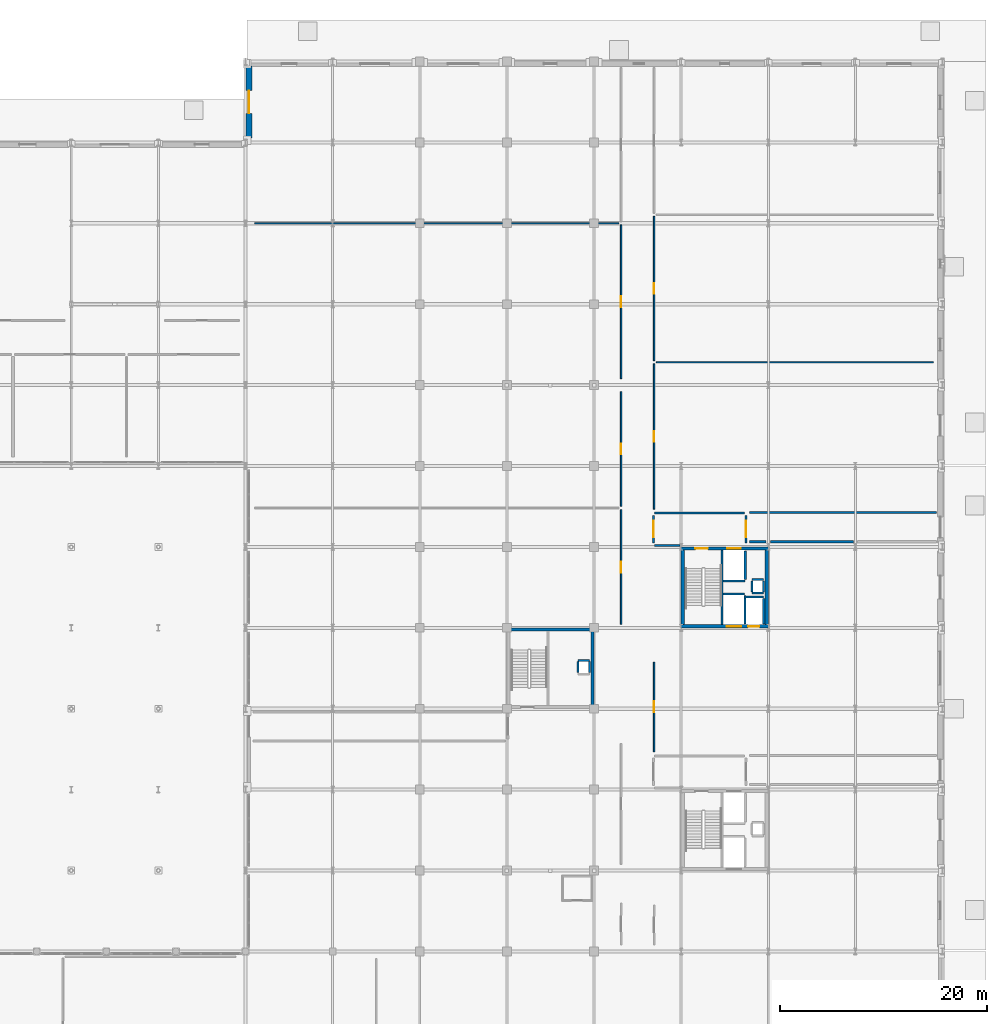
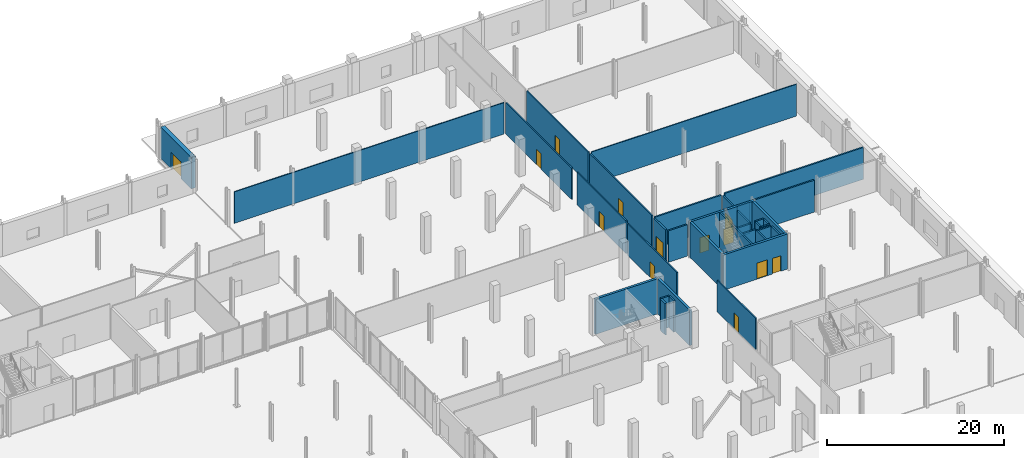
# One storey, part 57 of 80: 36 walls, 13 doors, 13 openings.
"""IFC4 building model written with IfcOpenShell, lengths in metres."""

from ifc_helpers import new_model, si_unit, direction, frame, frame_2d, origin, place, context, subcontext, project, spatial, rectangle, extrude, material, layer, layer_set, type_object, element, fill, save


model = new_model("IFC4")

# Units and contexts
model_context = context("Model", 3, precision=1e-05, world=origin(), true_north=direction((0.0, 1.0)))
body_context = subcontext(model_context, "Body", "Model", "MODEL_VIEW")
ifc_project = project(units=[si_unit("LENGTHUNIT", "METRE"), si_unit("AREAUNIT", "SQUARE_METRE"), si_unit("VOLUMEUNIT", "CUBIC_METRE"), si_unit("PLANEANGLEUNIT", "RADIAN"), si_unit("MASSUNIT", "GRAM", prefix="KILO")], contexts=[model_context])

# Site, building, storey
site_placement = place(None, origin())
site = spatial("IfcSite", under=ifc_project, at=site_placement, CompositionType="ELEMENT")
building_placement = place(site_placement, origin())
building = spatial("IfcBuilding", under=site, at=building_placement, Name="Nabrawat Pavilion Hospital", CompositionType="ELEMENT")
storey_placement = place(building_placement, origin())
storey = spatial("IfcBuildingStorey", under=building, at=storey_placement, Name="L00", CompositionType="ELEMENT", Elevation=0.0)

# Wall, opening, door
ifc_material_1 = material(Name="Gypsum Fireboard on Steel Stud", Category="steel")
ifc_layer_1 = layer(ifc_material_1, 0.14990234375, Name="Gypsum Fireboard on Steel Stud")
ifc_layer_set_1 = layer_set([ifc_layer_1], Name="Gypsum Fireboard on Steel Stud")
wall_type_1 = type_object("IfcWallType", Name="Clinical Corridor Smoke-Barrier Wall 150", PredefinedType="PARTITIONING", material=ifc_layer_set_1)
wall_1_placement = place(storey_placement, frame((162.2099609375, 70.52001953125, 0.0), z_axis=(0.0, 0.0, 1.0), x_axis=(0.0, 1.0, 0.0)))
wall_1 = element("IfcWall", 1, at=wall_1_placement, inside=storey, type_object=wall_type_1, Name="L00 Hydrotherapy Treatment Pool Suite L00-03 Front Partition", PredefinedType="PARTITIONING", context=body_context, shape_type="SweptSolid", body=[
    extrude(rectangle(XDim=11.070068359375, YDim=0.14990234375, at=frame_2d((5.53515625, 0.0))), origin(), (0.0, 0.0, 1.0), 4.330078125),
])
opening_1_placement = place(wall_1_placement, frame((5.010009765625, 0.0, 0.0)))
opening_1 = element("IfcOpeningElement", 2, at=opening_1_placement, cuts=wall_1, Name="Opening D-OPC-R", PredefinedType="OPENING", context=body_context, shape_type="SweptSolid", body=[
    extrude(rectangle(XDim=1.050048828125, YDim=2.14990234375, at=frame_2d((0.52490234375, 1.074951171875))), frame((0.0, 0.0849609375, 0.0), z_axis=(0.0, -1.0, 0.0), x_axis=(1.0, 0.0, 0.0)), (0.0, 0.0, 1.0), 0.169921875),
])
ifc_material_2 = material(Name="Stainless-Clad Acoustic Timber and Vision Glass", Category="wood")
door_type_1 = type_object("IfcDoorType", Name="Outpatient Clinic Consultation Door R 1050x2150", OperationType="NOTDEFINED", PredefinedType="DOOR", material=ifc_material_2)
door_1_placement = place(opening_1_placement, origin())
door_1 = element("IfcDoor", 3, at=door_1_placement, inside=storey, type_object=door_type_1, Name="Hydrotherapy Treatment Pool Suite L00-03 Door", OperationType="SINGLE_SWING_LEFT", OverallHeight=2.14990234375, OverallWidth=1.050048828125, PredefinedType="DOOR", context=body_context, shape_type="SweptSolid", body=[
    extrude(rectangle(XDim=1.050048828125, YDim=2.14990234375, at=frame_2d((0.52490234375, 1.074951171875))), frame((0.0, 0.02490234375, 0.0), z_axis=(0.0, -1.0, 0.0), x_axis=(1.0, 0.0, 0.0)), (0.0, 0.0, 1.0), 0.050048828125),
])
fill(opening_1, door_1)

wall_2_placement = place(storey_placement, frame((162.2099609375, 81.909912109375, 0.0), z_axis=(0.0, 0.0, 1.0), x_axis=(0.0, 1.0, 0.0)))
wall_2 = element("IfcWall", 4, at=wall_2_placement, inside=storey, type_object=wall_type_1, Name="L00 Renal Haemodialysis Treatment Station L00-04 Front Partition", PredefinedType="PARTITIONING", context=body_context, shape_type="SweptSolid", body=[
    extrude(rectangle(XDim=11.070068359375, YDim=0.14990234375, at=frame_2d((5.53515625, 0.0))), origin(), (0.0, 0.0, 1.0), 4.489990234375),
])
opening_2_placement = place(wall_2_placement, frame((5.010009765625, 0.0, 0.0)))
opening_2 = element("IfcOpeningElement", 5, at=opening_2_placement, cuts=wall_2, Name="Opening D-OPC-L", PredefinedType="OPENING", context=body_context, shape_type="SweptSolid", body=[
    extrude(rectangle(XDim=1.050048828125, YDim=2.14990234375, at=frame_2d((0.52490234375, 1.074951171875))), frame((0.0, 0.0849609375, 0.0), z_axis=(0.0, -1.0, 0.0), x_axis=(1.0, 0.0, 0.0)), (0.0, 0.0, 1.0), 0.169921875),
])
door_type_2 = type_object("IfcDoorType", Name="Outpatient Clinic Consultation Door L 1050x2150", OperationType="NOTDEFINED", PredefinedType="DOOR", material=ifc_material_2)
door_2_placement = place(opening_2_placement, origin())
door_2 = element("IfcDoor", 6, at=door_2_placement, inside=storey, type_object=door_type_2, Name="Renal Haemodialysis Treatment Station L00-04 Door", OperationType="SINGLE_SWING_RIGHT", OverallHeight=2.14990234375, OverallWidth=1.050048828125, PredefinedType="DOOR", context=body_context, shape_type="SweptSolid", body=[
    extrude(rectangle(XDim=1.050048828125, YDim=2.14990234375, at=frame_2d((0.52490234375, 1.074951171875))), frame((0.0, 0.02490234375, 0.0), z_axis=(0.0, -1.0, 0.0), x_axis=(1.0, 0.0, 0.0)), (0.0, 0.0, 1.0), 0.050048828125),
])
fill(opening_2, door_2)

wall_3_placement = place(storey_placement, frame((162.2099609375, 94.219970703125, 0.0), z_axis=(0.0, 0.0, 1.0), x_axis=(0.0, 1.0, 0.0)))
wall_3 = element("IfcWall", 7, at=wall_3_placement, inside=storey, type_object=wall_type_1, Name="L00 Acute Inpatient Ward Clinical Care Hub L00-05 Front Partition", PredefinedType="PARTITIONING", context=body_context, shape_type="SweptSolid", body=[
    extrude(rectangle(XDim=14.820068359375, YDim=0.14990234375, at=frame_2d((7.41015625, 0.0))), origin(), (0.0, 0.0, 1.0), 4.330078125),
])
opening_3_placement = place(wall_3_placement, frame((6.885009765625, 0.0, 0.0)))
opening_3 = element("IfcOpeningElement", 8, at=opening_3_placement, cuts=wall_3, Name="Opening D-OPC-R", PredefinedType="OPENING", context=body_context, shape_type="SweptSolid", body=[
    extrude(rectangle(XDim=1.050048828125, YDim=2.14990234375, at=frame_2d((0.52490234375, 1.074951171875))), frame((0.0, 0.0849609375, 0.0), z_axis=(0.0, -1.0, 0.0), x_axis=(1.0, 0.0, 0.0)), (0.0, 0.0, 1.0), 0.169921875),
])
door_3_placement = place(opening_3_placement, origin())
door_3 = element("IfcDoor", 9, at=door_3_placement, inside=storey, type_object=door_type_1, Name="Acute Inpatient Ward Clinical Care Hub L00-05 Door", OperationType="SINGLE_SWING_LEFT", OverallHeight=2.14990234375, OverallWidth=1.050048828125, PredefinedType="DOOR", context=body_context, shape_type="SweptSolid", body=[
    extrude(rectangle(XDim=1.050048828125, YDim=2.14990234375, at=frame_2d((0.52490234375, 1.074951171875))), frame((0.0, 0.02490234375, 0.0), z_axis=(0.0, -1.0, 0.0), x_axis=(1.0, 0.0, 0.0)), (0.0, 0.0, 1.0), 0.050048828125),
])
fill(opening_3, door_3)

wall_4_placement = place(storey_placement, frame((165.389892578125, 58.25, 0.0), z_axis=(0.0, 0.0, 1.0), x_axis=(0.0, 1.0, 0.0)))
wall_4 = element("IfcWall", 10, at=wall_4_placement, inside=storey, type_object=wall_type_1, Name="L00 Physical Rehabilitation Therapy Hall L00-08 Front Partition", PredefinedType="PARTITIONING", context=body_context, shape_type="SweptSolid", body=[
    extrude(rectangle(XDim=8.64990234375, YDim=0.14990234375, at=frame_2d((4.324951171875, 0.0))), origin(), (0.0, 0.0, 1.0), 4.330078125),
])
opening_4_placement = place(wall_4_placement, frame((3.800048828125, 0.0, 0.0)))
opening_4 = element("IfcOpeningElement", 11, at=opening_4_placement, cuts=wall_4, Name="Opening D-OPC-L", PredefinedType="OPENING", context=body_context, shape_type="SweptSolid", body=[
    extrude(rectangle(XDim=1.050048828125, YDim=2.14990234375, at=frame_2d((0.52490234375, 1.074951171875))), frame((0.0, 0.0849609375, 0.0), z_axis=(0.0, -1.0, 0.0), x_axis=(1.0, 0.0, 0.0)), (0.0, 0.0, 1.0), 0.169921875),
])
door_4_placement = place(opening_4_placement, origin())
door_4 = element("IfcDoor", 12, at=door_4_placement, inside=storey, type_object=door_type_2, Name="Physical Rehabilitation Therapy Hall L00-08 Door", OperationType="SINGLE_SWING_RIGHT", OverallHeight=2.14990234375, OverallWidth=1.050048828125, PredefinedType="DOOR", context=body_context, shape_type="SweptSolid", body=[
    extrude(rectangle(XDim=1.050048828125, YDim=2.14990234375, at=frame_2d((0.52490234375, 1.074951171875))), frame((0.0, 0.02490234375, 0.0), z_axis=(0.0, -1.0, 0.0), x_axis=(1.0, 0.0, 0.0)), (0.0, 0.0, 1.0), 0.050048828125),
])
fill(opening_4, door_4)

wall_5_placement = place(storey_placement, frame((165.389892578125, 81.64990234375, 0.0), z_axis=(0.0, 0.0, 1.0), x_axis=(0.0, 1.0, 0.0)))
wall_5 = element("IfcWall", 13, at=wall_5_placement, inside=storey, type_object=wall_type_1, Name="L00 Hydrotherapy Treatment Pool Suite L00-09 Front Partition", PredefinedType="PARTITIONING", context=body_context, shape_type="SweptSolid", body=[
    extrude(rectangle(XDim=13.989990234375, YDim=0.14990234375, at=frame_2d((6.9951171875, 0.0))), origin(), (0.0, 0.0, 1.0), 4.330078125),
])
opening_5_placement = place(wall_5_placement, frame((6.469970703125, 0.0, 0.0)))
opening_5 = element("IfcOpeningElement", 14, at=opening_5_placement, cuts=wall_5, Name="Opening D-OPC-R", PredefinedType="OPENING", context=body_context, shape_type="SweptSolid", body=[
    extrude(rectangle(XDim=1.050048828125, YDim=2.14990234375, at=frame_2d((0.52490234375, 1.074951171875))), frame((0.0, 0.0849609375, 0.0), z_axis=(0.0, -1.0, 0.0), x_axis=(1.0, 0.0, 0.0)), (0.0, 0.0, 1.0), 0.169921875),
])
door_5_placement = place(opening_5_placement, origin())
door_5 = element("IfcDoor", 15, at=door_5_placement, inside=storey, type_object=door_type_1, Name="Hydrotherapy Treatment Pool Suite L00-09 Door", OperationType="SINGLE_SWING_LEFT", OverallHeight=2.14990234375, OverallWidth=1.050048828125, PredefinedType="DOOR", context=body_context, shape_type="SweptSolid", body=[
    extrude(rectangle(XDim=1.050048828125, YDim=2.14990234375, at=frame_2d((0.52490234375, 1.074951171875))), frame((0.0, 0.02490234375, 0.0), z_axis=(0.0, -1.0, 0.0), x_axis=(1.0, 0.0, 0.0)), (0.0, 0.0, 1.0), 0.050048828125),
])
fill(opening_5, door_5)

wall_6_placement = place(storey_placement, frame((165.389892578125, 95.9599609375, 0.0), z_axis=(0.0, 0.0, 1.0), x_axis=(0.0, 1.0, 0.0)))
wall_6 = element("IfcWall", 16, at=wall_6_placement, inside=storey, type_object=wall_type_1, Name="L00 Renal Haemodialysis Treatment Station L00-10 Front Partition", PredefinedType="PARTITIONING", context=body_context, shape_type="SweptSolid", body=[
    extrude(rectangle(XDim=13.91015625, YDim=0.14990234375, at=frame_2d((6.955078125, 0.0))), origin(), (0.0, 0.0, 1.0), 4.330078125),
])
opening_6_placement = place(wall_6_placement, frame((6.429931640625, 0.0, 0.0)))
opening_6 = element("IfcOpeningElement", 17, at=opening_6_placement, cuts=wall_6, Name="Opening D-OPC-L", PredefinedType="OPENING", context=body_context, shape_type="SweptSolid", body=[
    extrude(rectangle(XDim=1.050048828125, YDim=2.14990234375, at=frame_2d((0.52490234375, 1.074951171875))), frame((0.0, 0.0849609375, 0.0), z_axis=(0.0, -1.0, 0.0), x_axis=(1.0, 0.0, 0.0)), (0.0, 0.0, 1.0), 0.169921875),
])
door_6_placement = place(opening_6_placement, origin())
door_6 = element("IfcDoor", 18, at=door_6_placement, inside=storey, type_object=door_type_2, Name="Renal Haemodialysis Treatment Station L00-10 Door", OperationType="SINGLE_SWING_RIGHT", OverallHeight=2.14990234375, OverallWidth=1.050048828125, PredefinedType="DOOR", context=body_context, shape_type="SweptSolid", body=[
    extrude(rectangle(XDim=1.050048828125, YDim=2.14990234375, at=frame_2d((0.52490234375, 1.074951171875))), frame((0.0, 0.02490234375, 0.0), z_axis=(0.0, -1.0, 0.0), x_axis=(1.0, 0.0, 0.0)), (0.0, 0.0, 1.0), 0.050048828125),
])
fill(opening_6, door_6)

# Walls
ifc_material_3 = material(Name="Concrete C35/45", Category="concrete")
ifc_layer_2 = layer(ifc_material_3, 0.199951171875, Name="Concrete C35/45")
ifc_layer_set_2 = layer_set([ifc_layer_2], Name="Concrete C35/45")
wall_type_2 = type_object("IfcWallType", Name="Firefighting Lobby Compartment Wall 200", PredefinedType="PARTITIONING", material=ifc_layer_set_2)
wall_7_placement = place(storey_placement, frame((165.43994140625, 78.14990234375, 0.0), z_axis=(0.0, 0.0, 1.0), x_axis=(1.0, 0.0, 0.0)))
element("IfcWall", 19, at=wall_7_placement, inside=storey, type_object=wall_type_2, Name="L00 CORE-6 Firefighting Lobby South Return Wall", PredefinedType="PARTITIONING", context=body_context, shape_type="SweptSolid", body=[
    extrude(rectangle(XDim=2.43994140625, YDim=0.199951171875, at=frame_2d((1.219970703125, 0.0))), origin(), (0.0, 0.0, 1.0), 4.330078125),
])
wall_8_placement = place(storey_placement, frame((165.43994140625, 81.25, 0.0), z_axis=(0.0, 0.0, 1.0), x_axis=(1.0, 0.0, 0.0)))
element("IfcWall", 20, at=wall_8_placement, inside=storey, type_object=wall_type_2, Name="L00 CORE-6 Firefighting Lobby North Compartment Wall", PredefinedType="PARTITIONING", context=body_context, shape_type="SweptSolid", body=[
    extrude(rectangle(XDim=8.66015625, YDim=0.199951171875, at=frame_2d((4.330078125, 0.0))), origin(), (0.0, 0.0, 1.0), 4.330078125),
])

# Wall, opening, door
wall_9_placement = place(storey_placement, frame((165.320068359375, 78.39990234375, 0.0), z_axis=(0.0, 0.0, 1.0), x_axis=(0.0, 1.0, 0.0)))
wall_9 = element("IfcWall", 21, at=wall_9_placement, inside=storey, type_object=wall_type_2, Name="L00 CORE-6 Firefighting Lobby West Compartment Wall", PredefinedType="PARTITIONING", context=body_context, shape_type="SweptSolid", body=[
    extrude(rectangle(XDim=2.650146484375, YDim=0.199951171875, at=frame_2d((1.3251953125, 0.0))), origin(), (0.0, 0.0, 1.0), 4.330078125),
])
opening_7_placement = place(wall_9_placement, frame((0.52490234375, 0.0, 0.0)))
opening_7 = element("IfcOpeningElement", 22, at=opening_7_placement, cuts=wall_9, Name="Opening D-FFL", PredefinedType="OPENING", context=body_context, shape_type="SweptSolid", body=[
    extrude(rectangle(XDim=1.60009765625, YDim=2.199951171875, at=frame_2d((0.800048828125, 1.10009765625))), frame((0.0, 0.10986328125, 0.0), z_axis=(0.0, -1.0, 0.0), x_axis=(1.0, 0.0, 0.0)), (0.0, 0.0, 1.0), 0.219970703125),
])
door_type_3 = type_object("IfcDoorType", Name="D-FFL Firefighting Lobby Double Smoke Door 1600x2200", OperationType="NOTDEFINED", PredefinedType="DOOR", material=ifc_material_2)
door_7_placement = place(opening_7_placement, origin())
door_7 = element("IfcDoor", 23, at=door_7_placement, inside=storey, type_object=door_type_3, Name="L00 CORE-6 Firefighting Lobby West Smoke Door", OperationType="DOUBLE_DOOR_SINGLE_SWING", OverallHeight=2.199951171875, OverallWidth=1.60009765625, PredefinedType="DOOR", context=body_context, shape_type="SweptSolid", body=[
    extrude(rectangle(XDim=1.60009765625, YDim=2.199951171875, at=frame_2d((0.800048828125, 1.10009765625))), frame((0.0, 0.02490234375, 0.0), z_axis=(0.0, -1.0, 0.0), x_axis=(1.0, 0.0, 0.0)), (0.0, 0.0, 1.0), 0.050048828125),
])
fill(opening_7, door_7)

wall_10_placement = place(storey_placement, frame((174.25, 78.39990234375, 0.0), z_axis=(0.0, 0.0, 1.0), x_axis=(0.0, 1.0, 0.0)))
wall_10 = element("IfcWall", 24, at=wall_10_placement, inside=storey, type_object=wall_type_2, Name="L00 CORE-6 Firefighting Lobby East Compartment Wall", PredefinedType="PARTITIONING", context=body_context, shape_type="SweptSolid", body=[
    extrude(rectangle(XDim=2.650146484375, YDim=0.199951171875, at=frame_2d((1.3251953125, 0.0))), origin(), (0.0, 0.0, 1.0), 4.330078125),
])
opening_8_placement = place(wall_10_placement, frame((0.52490234375, 0.0, 0.0)))
opening_8 = element("IfcOpeningElement", 25, at=opening_8_placement, cuts=wall_10, Name="Opening D-FFL", PredefinedType="OPENING", context=body_context, shape_type="SweptSolid", body=[
    extrude(rectangle(XDim=1.60009765625, YDim=2.199951171875, at=frame_2d((0.800048828125, 1.10009765625))), frame((0.0, 0.10986328125, 0.0), z_axis=(0.0, -1.0, 0.0), x_axis=(1.0, 0.0, 0.0)), (0.0, 0.0, 1.0), 0.219970703125),
])
door_8_placement = place(opening_8_placement, origin())
door_8 = element("IfcDoor", 26, at=door_8_placement, inside=storey, type_object=door_type_3, Name="L00 CORE-6 Firefighting Lobby East Smoke Door", OperationType="DOUBLE_DOOR_SINGLE_SWING", OverallHeight=2.199951171875, OverallWidth=1.60009765625, PredefinedType="DOOR", context=body_context, shape_type="SweptSolid", body=[
    extrude(rectangle(XDim=1.60009765625, YDim=2.199951171875, at=frame_2d((0.800048828125, 1.10009765625))), frame((0.0, 0.02490234375, 0.0), z_axis=(0.0, -1.0, 0.0), x_axis=(1.0, 0.0, 0.0)), (0.0, 0.0, 1.0), 0.050048828125),
])
fill(opening_8, door_8)

# Walls
wall_11_placement = place(storey_placement, frame((174.60009765625, 78.5, 0.0), z_axis=(0.0, 0.0, 1.0), x_axis=(1.0, 0.0, 0.0)))
element("IfcWall", 27, at=wall_11_placement, inside=storey, type_object=wall_type_2, Name="L00 ST-06 Protected Exit Passage South Fire Wall 1", PredefinedType="PARTITIONING", context=body_context, shape_type="SweptSolid", body=[
    extrude(rectangle(XDim=1.599853515625, YDim=0.199951171875, at=frame_2d((0.7998046875, 0.0))), origin(), (0.0, 0.0, 1.0), 4.3798828125),
])
wall_12_placement = place(storey_placement, frame((176.60009765625, 78.5, 0.0), z_axis=(0.0, 0.0, 1.0), x_axis=(1.0, 0.0, 0.0)))
element("IfcWall", 28, at=wall_12_placement, inside=storey, type_object=wall_type_2, Name="L00 ST-06 Protected Exit Passage South Fire Wall 2", PredefinedType="PARTITIONING", context=body_context, shape_type="SweptSolid", body=[
    extrude(rectangle(XDim=8.0, YDim=0.199951171875, at=frame_2d((4.0, 0.0))), origin(), (0.0, 0.0, 1.0), 4.3798828125),
])
wall_13_placement = place(storey_placement, frame((174.60009765625, 81.300048828125, 0.0), z_axis=(0.0, 0.0, 1.0), x_axis=(1.0, 0.0, 0.0)))
element("IfcWall", 29, at=wall_13_placement, inside=storey, type_object=wall_type_2, Name="L00 ST-06 Protected Exit Passage North Fire Wall 1", PredefinedType="PARTITIONING", context=body_context, shape_type="SweptSolid", body=[
    extrude(rectangle(XDim=18.0, YDim=0.199951171875, at=frame_2d((9.0, 0.0))), origin(), (0.0, 0.0, 1.0), 4.3798828125),
])
ifc_layer_3 = layer(ifc_material_3, 0.199951171875, Name="Concrete C35/45")
ifc_layer_set_3 = layer_set([ifc_layer_3], Name="Concrete C35/45")
wall_type_3 = type_object("IfcWallType", Name="Lift and Riser Fire Shaft Wall 200", PredefinedType="PARTITIONING", material=ifc_layer_set_3)
wall_14_placement = place(storey_placement, frame((171.949951171875, 70.52001953125, 0.0), z_axis=(0.0, 0.0, 1.0), x_axis=(0.0, 1.0, 0.0)))
element("IfcWall", 30, at=wall_14_placement, inside=storey, type_object=wall_type_3, Name="L00 CORE-6 Stair-Lift Dividing Shear Wall", PredefinedType="SHEAR", context=body_context, shape_type="SweptSolid", body=[
    extrude(rectangle(XDim=7.159912109375, YDim=0.199951171875, at=frame_2d((3.580078125, 0.0))), origin(), (0.0, 0.0, 1.0), 4.85009765625),
])
for number, where, z_axis, x_axis, name in (
    (31, (174.85009765625, 73.550048828125, 0.0), (0.0, 0.0, 1.0), (1.0, 0.0, 0.0), "L00 CORE-6 MEP Riser Shaft Wall S"),
    (32, (174.85009765625, 74.85009765625, 0.0), (0.0, 0.0, 1.0), (1.0, 0.0, 0.0), "L00 CORE-6 MEP Riser Shaft Wall N"),
):
    element("IfcWall", number, at=place(storey_placement, frame(where, z_axis=z_axis, x_axis=x_axis)), inside=storey, type_object=wall_type_3, Name=name, PredefinedType="PARTITIONING", context=body_context, shape_type="SweptSolid", body=[
        extrude(rectangle(XDim=1.099853515625, YDim=0.199951171875, at=frame_2d((0.5498046875, 0.0))), origin(), (0.0, 0.0, 1.0), 4.330078125),
    ])
for number, where, z_axis, x_axis, name in (
    (33, (174.85009765625, 73.669921875, 0.0), (0.0, 0.0, 1.0), (0.0, 1.0, 0.0), "L00 CORE-6 MEP Riser Shaft Wall W"),
    (34, (175.949951171875, 73.669921875, 0.0), (0.0, 0.0, 1.0), (0.0, 1.0, 0.0), "L00 CORE-6 MEP Riser Shaft Wall E"),
):
    element("IfcWall", number, at=place(storey_placement, frame(where, z_axis=z_axis, x_axis=x_axis)), inside=storey, type_object=wall_type_3, Name=name, PredefinedType="PARTITIONING", context=body_context, shape_type="SweptSolid", body=[
        extrude(rectangle(XDim=1.06005859375, YDim=0.199951171875, at=frame_2d((0.530029296875, 0.0))), origin(), (0.0, 0.0, 1.0), 4.330078125),
    ])
wall_15_placement = place(storey_placement, frame((174.179931640625, 74.8798828125, 0.0), z_axis=(0.0, 0.0, 1.0), x_axis=(0.0, 1.0, 0.0)))
element("IfcWall", 35, at=wall_15_placement, inside=storey, type_object=wall_type_3, Name="L00 Lift LF-02 Shaft East Wall", PredefinedType="PARTITIONING", context=body_context, shape_type="SweptSolid", body=[
    extrude(rectangle(XDim=2.740234375, YDim=0.199951171875, at=frame_2d((1.3701171875, 0.0))), origin(), (0.0, 0.0, 1.0), 4.330078125),
])
wall_16_placement = place(storey_placement, frame((172.050048828125, 74.719970703125, 0.0), z_axis=(0.0, 0.0, 1.0), x_axis=(1.0, 0.0, 0.0)))
element("IfcWall", 36, at=wall_16_placement, inside=storey, type_object=wall_type_3, Name="L00 Lift LF-02 Shaft Back Wall", PredefinedType="PARTITIONING", context=body_context, shape_type="SweptSolid", body=[
    extrude(rectangle(XDim=2.099853515625, YDim=0.199951171875, at=frame_2d((1.0498046875, 0.0))), origin(), (0.0, 0.0, 1.0), 4.330078125),
])
wall_17_placement = place(storey_placement, frame((174.139892578125, 70.580078125, 0.0), z_axis=(0.0, 0.0, 1.0), x_axis=(0.0, 1.0, 0.0)))
element("IfcWall", 37, at=wall_17_placement, inside=storey, type_object=wall_type_3, Name="L00 Lift LB-04 Shaft East Wall", PredefinedType="PARTITIONING", context=body_context, shape_type="SweptSolid", body=[
    extrude(rectangle(XDim=2.739990234375, YDim=0.199951171875, at=frame_2d((1.3701171875, 0.0))), origin(), (0.0, 0.0, 1.0), 4.330078125),
])
wall_18_placement = place(storey_placement, frame((172.050048828125, 73.47998046875, 0.0), z_axis=(0.0, 0.0, 1.0), x_axis=(1.0, 0.0, 0.0)))
element("IfcWall", 38, at=wall_18_placement, inside=storey, type_object=wall_type_3, Name="L00 Lift LB-04 Shaft Back Wall", PredefinedType="PARTITIONING", context=body_context, shape_type="SweptSolid", body=[
    extrude(rectangle(XDim=2.06005859375, YDim=0.199951171875, at=frame_2d((1.030029296875, 0.0))), origin(), (0.0, 0.0, 1.0), 4.330078125),
])
wall_19_placement = place(storey_placement, frame((175.9599609375, 70.580078125, 0.0), z_axis=(0.0, 0.0, 1.0), x_axis=(0.0, 1.0, 0.0)))
element("IfcWall", 39, at=wall_19_placement, inside=storey, type_object=wall_type_3, Name="L00 Lift LS-02 Shaft East Wall", PredefinedType="PARTITIONING", context=body_context, shape_type="SweptSolid", body=[
    extrude(rectangle(XDim=2.43994140625, YDim=0.199951171875, at=frame_2d((1.219970703125, 0.0))), origin(), (0.0, 0.0, 1.0), 4.330078125),
])
wall_20_placement = place(storey_placement, frame((174.070068359375, 73.179931640625, 0.0), z_axis=(0.0, 0.0, 1.0), x_axis=(1.0, 0.0, 0.0)))
element("IfcWall", 40, at=wall_20_placement, inside=storey, type_object=wall_type_3, Name="L00 Lift LS-02 Shaft Back Wall", PredefinedType="PARTITIONING", context=body_context, shape_type="SweptSolid", body=[
    extrude(rectangle(XDim=1.85986328125, YDim=0.199951171875, at=frame_2d((0.929931640625, 0.0))), origin(), (0.0, 0.0, 1.0), 4.330078125),
])
wall_21_placement = place(storey_placement, frame((158.050048828125, 67.050048828125, 0.0), z_axis=(0.0, 0.0, 1.0), x_axis=(1.0, 0.0, 0.0)))
element("IfcWall", 41, at=wall_21_placement, inside=storey, type_object=wall_type_3, Name="L00 CORE-9 MEP Riser Shaft Wall N", PredefinedType="PARTITIONING", context=body_context, shape_type="SweptSolid", body=[
    extrude(rectangle(XDim=1.099853515625, YDim=0.199951171875, at=frame_2d((0.5498046875, 0.0))), origin(), (0.0, 0.0, 1.0), 4.330078125),
])
for number, where, z_axis, x_axis, name in (
    (42, (158.050048828125, 65.8701171875, 0.0), (0.0, 0.0, 1.0), (0.0, 1.0, 0.0), "L00 CORE-9 MEP Riser Shaft Wall W"),
    (43, (159.14990234375, 65.8701171875, 0.0), (0.0, 0.0, 1.0), (0.0, 1.0, 0.0), "L00 CORE-9 MEP Riser Shaft Wall E"),
):
    element("IfcWall", number, at=place(storey_placement, frame(where, z_axis=z_axis, x_axis=x_axis)), inside=storey, type_object=wall_type_3, Name=name, PredefinedType="PARTITIONING", context=body_context, shape_type="SweptSolid", body=[
        extrude(rectangle(XDim=1.059814453125, YDim=0.199951171875, at=frame_2d((0.52978515625, 0.0))), origin(), (0.0, 0.0, 1.0), 4.330078125),
    ])
ifc_material_4 = material(Name="Gypsum Plasterboard on Stud", Category="gypsum")
ifc_layer_4 = layer(ifc_material_4, 0.1201171875, Name="Gypsum Plasterboard on Stud")
ifc_layer_set_4 = layer_set([ifc_layer_4], Name="Gypsum Plasterboard on Stud")
wall_type_4 = type_object("IfcWallType", Name="Outpatient Consultation Partition 120", PredefinedType="PARTITIONING", material=ifc_layer_set_4)
wall_22_placement = place(storey_placement, frame((126.889892578125, 109.199951171875, 0.0), z_axis=(0.0, 0.0, 1.0), x_axis=(1.0, 0.0, 0.0)))
element("IfcWall", 44, at=wall_22_placement, inside=storey, type_object=wall_type_4, Name="L00 Acute Inpatient Ward Clinical Care Hub L00-05 Dividing Partition", PredefinedType="PARTITIONING", context=body_context, shape_type="SweptSolid", body=[
    extrude(rectangle(XDim=35.10009765625, YDim=0.1201171875, at=frame_2d((17.550048828125, 0.0))), origin(), (0.0, 0.0, 1.0), 4.330078125),
])
wall_23_placement = place(storey_placement, frame((165.610107421875, 95.800048828125, 0.0), z_axis=(0.0, 0.0, 1.0), x_axis=(1.0, 0.0, 0.0)))
element("IfcWall", 45, at=wall_23_placement, inside=storey, type_object=wall_type_4, Name="L00 Hydrotherapy Treatment Pool Suite L00-09 Dividing Partition", PredefinedType="PARTITIONING", context=body_context, shape_type="SweptSolid", body=[
    extrude(rectangle(XDim=26.699951171875, YDim=0.1201171875, at=frame_2d((13.35009765625, 0.0))), origin(), (0.0, 0.0, 1.0), 4.3798828125),
])

# Wall, opening, door
ifc_material_5 = material(Name="Precast concrete C40/50", Category="concrete")
ifc_layer_5 = layer(ifc_material_5, 0.5400390625, Name="Precast concrete C40/50")
ifc_layer_set_5 = layer_set([ifc_layer_5], Name="Precast concrete C40/50")
wall_type_5 = type_object("IfcWallType", Name="Podium Monumental Limestone-Clad Wall 540", PredefinedType="SOLIDWALL", material=ifc_layer_set_5)
wall_24_placement = place(storey_placement, frame((126.340087890625, 117.43994140625, 0.0), z_axis=(0.0, 0.0, 1.0), x_axis=(0.0, 1.0, 0.0)))
wall_24 = element("IfcWall", 46, at=wall_24_placement, inside=storey, type_object=wall_type_5, Name="L00 Podium Monumental Limestone-Clad Wall 540 145", PredefinedType="SOLIDWALL", context=body_context, shape_type="SweptSolid", body=[
    extrude(rectangle(XDim=6.920166015625, YDim=0.5400390625, at=frame_2d((3.4599609375, 0.0))), origin(), (0.0, 0.0, 1.0), 4.330078125),
])
opening_9_placement = place(wall_24_placement, frame((2.360107421875, 0.0, 0.0)))
opening_9 = element("IfcOpeningElement", 47, at=opening_9_placement, cuts=wall_24, Name="Opening ED-EXIT-220", PredefinedType="OPENING", context=body_context, shape_type="SweptSolid", body=[
    extrude(rectangle(XDim=2.199951171875, YDim=2.300048828125, at=frame_2d((1.10009765625, 1.14990234375))), frame((0.0, 0.280029296875, 0.0), z_axis=(0.0, -1.0, 0.0), x_axis=(1.0, 0.0, 0.0)), (0.0, 0.0, 1.0), 0.56005859375),
])
ifc_material_6 = material(Name="Powder-Coated Galvanised Steel and Safety Glass", Category="steel")
door_type_4 = type_object("IfcDoorType", Name="Perimeter Double Final-Exit Door 2200x2300", OperationType="NOTDEFINED", PredefinedType="DOOR", material=ifc_material_6)
door_9_placement = place(opening_9_placement, origin())
door_9 = element("IfcDoor", 48, at=door_9_placement, inside=storey, type_object=door_type_4, Name="L00 Perimeter Final Exit Door 25", OperationType="DOUBLE_DOOR_SINGLE_SWING", OverallHeight=2.300048828125, OverallWidth=2.199951171875, PredefinedType="DOOR", context=body_context, shape_type="SweptSolid", body=[
    extrude(rectangle(XDim=2.199951171875, YDim=2.300048828125, at=frame_2d((1.10009765625, 1.14990234375))), frame((0.0, 0.02490234375, 0.0), z_axis=(0.0, -1.0, 0.0), x_axis=(1.0, 0.0, 0.0)), (0.0, 0.0, 1.0), 0.050048828125),
])
fill(opening_9, door_9)

# Wall, openings, doors
ifc_material_7 = material(Name="Concrete C40/50", Category="concrete")
ifc_layer_6 = layer(ifc_material_7, 0.300048828125, Name="Concrete C40/50")
ifc_layer_set_6 = layer_set([ifc_layer_6], Name="Concrete C40/50")
wall_type_6 = type_object("IfcWallType", Name="Reinforced Concrete Core Shear Wall 300", PredefinedType="SHEAR", material=ifc_layer_set_6)
wall_25_placement = place(storey_placement, frame((168.0, 70.35009765625, 0.0), z_axis=(0.0, 0.0, 1.0), x_axis=(1.0, 0.0, 0.0)))
wall_25 = element("IfcWall", 49, at=wall_25_placement, inside=storey, type_object=wall_type_6, Name="L00 CORE-6 South Core Shear Wall", PredefinedType="SHEAR", context=body_context, shape_type="SweptSolid", body=[
    extrude(rectangle(XDim=8.39990234375, YDim=0.300048828125, at=frame_2d((4.199951171875, 0.0))), origin(), (0.0, 0.0, 1.0), 4.85009765625),
])
opening_10_placement = place(wall_25_placement, frame((4.3798828125, 0.0, 0.0)))
opening_10 = element("IfcOpeningElement", 50, at=opening_10_placement, cuts=wall_25, Name="Opening LD-LB-04", PredefinedType="OPENING", context=body_context, shape_type="SweptSolid", body=[
    extrude(rectangle(XDim=1.39990234375, YDim=2.199951171875, at=frame_2d((0.699951171875, 1.10009765625))), frame((0.0, 0.16015625, 0.0), z_axis=(0.0, -1.0, 0.0), x_axis=(1.0, 0.0, 0.0)), (0.0, 0.0, 1.0), 0.320068359375),
])
opening_11_placement = place(wall_25_placement, frame((6.449951171875, 0.0, 0.0)))
opening_11 = element("IfcOpeningElement", 51, at=opening_11_placement, cuts=wall_25, Name="Opening LD-LS-02", PredefinedType="OPENING", context=body_context, shape_type="SweptSolid", body=[
    extrude(rectangle(XDim=1.10009765625, YDim=2.14990234375, at=frame_2d((0.550048828125, 1.074951171875))), frame((0.0, 0.16015625, 0.0), z_axis=(0.0, -1.0, 0.0), x_axis=(1.0, 0.0, 0.0)), (0.0, 0.0, 1.0), 0.320068359375),
])
door_type_5 = type_object("IfcDoorType", Name="Hospital Bed Lift Sliding Landing Door 1400x2200", OperationType="DOUBLE_DOOR_SLIDING", PredefinedType="DOOR", material=ifc_material_2)
door_10_placement = place(opening_10_placement, origin())
door_10 = element("IfcDoor", 52, at=door_10_placement, inside=storey, type_object=door_type_5, Name="L00 Lift LB-04 Sliding Landing Door", OperationType="DOUBLE_DOOR_SLIDING", OverallHeight=2.199951171875, OverallWidth=1.39990234375, PredefinedType="DOOR", context=body_context, shape_type="SweptSolid", body=[
    extrude(rectangle(XDim=1.39990234375, YDim=2.199951171875, at=frame_2d((0.699951171875, 1.10009765625))), frame((0.0, 0.02490234375, 0.0), z_axis=(0.0, -1.0, 0.0), x_axis=(1.0, 0.0, 0.0)), (0.0, 0.0, 1.0), 0.050048828125),
])
fill(opening_10, door_10)
door_type_6 = type_object("IfcDoorType", Name="Passenger Lift Sliding Landing Door 1100x2150", OperationType="DOUBLE_DOOR_SLIDING", PredefinedType="DOOR", material=ifc_material_2)
door_11_placement = place(opening_11_placement, origin())
door_11 = element("IfcDoor", 53, at=door_11_placement, inside=storey, type_object=door_type_6, Name="L00 Lift LS-02 Sliding Landing Door", OperationType="DOUBLE_DOOR_SLIDING", OverallHeight=2.14990234375, OverallWidth=1.10009765625, PredefinedType="DOOR", context=body_context, shape_type="SweptSolid", body=[
    extrude(rectangle(XDim=1.10009765625, YDim=2.14990234375, at=frame_2d((0.550048828125, 1.074951171875))), frame((0.0, 0.02490234375, 0.0), z_axis=(0.0, -1.0, 0.0), x_axis=(1.0, 0.0, 0.0)), (0.0, 0.0, 1.0), 0.050048828125),
])
fill(opening_11, door_11)

wall_26_placement = place(storey_placement, frame((168.0, 77.85009765625, 0.0), z_axis=(0.0, 0.0, 1.0), x_axis=(1.0, 0.0, 0.0)))
wall_26 = element("IfcWall", 54, at=wall_26_placement, inside=storey, type_object=wall_type_6, Name="L00 CORE-6 North Core Shear Wall", PredefinedType="SHEAR", context=body_context, shape_type="SweptSolid", body=[
    extrude(rectangle(XDim=8.39990234375, YDim=0.300048828125, at=frame_2d((4.199951171875, 0.0))), origin(), (0.0, 0.0, 1.0), 4.85009765625),
])
opening_12_placement = place(wall_26_placement, frame((1.3798828125, 0.0, 0.0)))
opening_12 = element("IfcOpeningElement", 55, at=opening_12_placement, cuts=wall_26, Name="Opening D-STAIR", PredefinedType="OPENING", context=body_context, shape_type="SweptSolid", body=[
    extrude(rectangle(XDim=1.199951171875, YDim=2.14990234375, at=frame_2d((0.60009765625, 1.074951171875))), frame((0.0, 0.16015625, 0.0), z_axis=(0.0, -1.0, 0.0), x_axis=(1.0, 0.0, 0.0)), (0.0, 0.0, 1.0), 0.320068359375),
])
opening_13_placement = place(wall_26_placement, frame((4.449951171875, 0.0, 0.0)))
opening_13 = element("IfcOpeningElement", 56, at=opening_13_placement, cuts=wall_26, Name="Opening LD-LF-02", PredefinedType="OPENING", context=body_context, shape_type="SweptSolid", body=[
    extrude(rectangle(XDim=1.300048828125, YDim=2.199951171875, at=frame_2d((0.64990234375, 1.10009765625))), frame((0.0, 0.16015625, 0.0), z_axis=(0.0, -1.0, 0.0), x_axis=(1.0, 0.0, 0.0)), (0.0, 0.0, 1.0), 0.320068359375),
])
door_type_7 = type_object("IfcDoorType", Name="D-STAIR Exit Stair Fire Door 1200x2150", OperationType="NOTDEFINED", PredefinedType="DOOR", material=ifc_material_2)
door_12_placement = place(opening_12_placement, origin())
door_12 = element("IfcDoor", 57, at=door_12_placement, inside=storey, type_object=door_type_7, Name="L00 ST-06 Fire Exit Stair Door", OperationType="SINGLE_SWING_RIGHT", OverallHeight=2.14990234375, OverallWidth=1.199951171875, PredefinedType="DOOR", context=body_context, shape_type="SweptSolid", body=[
    extrude(rectangle(XDim=1.199951171875, YDim=2.14990234375, at=frame_2d((0.60009765625, 1.074951171875))), frame((0.0, 0.02490234375, 0.0), z_axis=(0.0, -1.0, 0.0), x_axis=(1.0, 0.0, 0.0)), (0.0, 0.0, 1.0), 0.050048828125),
])
fill(opening_12, door_12)
door_type_8 = type_object("IfcDoorType", Name="Firefighting Lift Sliding Landing Door 1300x2200", OperationType="DOUBLE_DOOR_SLIDING", PredefinedType="DOOR", material=ifc_material_2)
door_13_placement = place(opening_13_placement, origin())
door_13 = element("IfcDoor", 58, at=door_13_placement, inside=storey, type_object=door_type_8, Name="L00 Lift LF-02 Sliding Landing Door", OperationType="DOUBLE_DOOR_SLIDING", OverallHeight=2.199951171875, OverallWidth=1.300048828125, PredefinedType="DOOR", context=body_context, shape_type="SweptSolid", body=[
    extrude(rectangle(XDim=1.300048828125, YDim=2.199951171875, at=frame_2d((0.64990234375, 1.10009765625))), frame((0.0, 0.02490234375, 0.0), z_axis=(0.0, -1.0, 0.0), x_axis=(1.0, 0.0, 0.0)), (0.0, 0.0, 1.0), 0.050048828125),
])
fill(opening_13, door_13)

# Walls
for number, where, z_axis, x_axis, name in (
    (59, (168.14990234375, 70.5, 0.0), (0.0, 0.0, 1.0), (0.0, 1.0, 0.0), "L00 CORE-6 West Core Shear Wall"),
    (60, (176.25, 70.5, 0.0), (0.0, 0.0, 1.0), (0.0, 1.0, 0.0), "L00 CORE-6 East Core Shear Wall"),
):
    element("IfcWall", number, at=place(storey_placement, frame(where, z_axis=z_axis, x_axis=x_axis)), inside=storey, type_object=wall_type_6, Name=name, PredefinedType="SHEAR", context=body_context, shape_type="SweptSolid", body=[
        extrude(rectangle(XDim=7.199951171875, YDim=0.300048828125, at=frame_2d((3.60009765625, 0.0))), origin(), (0.0, 0.0, 1.0), 4.85009765625),
    ])
wall_27_placement = place(storey_placement, frame((151.199951171875, 70.050048828125, 0.0), z_axis=(0.0, 0.0, 1.0), x_axis=(1.0, 0.0, 0.0)))
element("IfcWall", 61, at=wall_27_placement, inside=storey, type_object=wall_type_6, Name="L00 CORE-9 North Core Shear Wall", PredefinedType="SHEAR", context=body_context, shape_type="SweptSolid", body=[
    extrude(rectangle(XDim=8.400146484375, YDim=0.300048828125, at=frame_2d((4.2001953125, 0.0))), origin(), (0.0, 0.0, 1.0), 4.85009765625),
])
wall_28_placement = place(storey_placement, frame((159.449951171875, 62.699951171875, 0.0), z_axis=(0.0, 0.0, 1.0), x_axis=(0.0, 1.0, 0.0)))
element("IfcWall", 62, at=wall_28_placement, inside=storey, type_object=wall_type_6, Name="L00 CORE-9 East Core Shear Wall", PredefinedType="SHEAR", context=body_context, shape_type="SweptSolid", body=[
    extrude(rectangle(XDim=7.199951171875, YDim=0.300048828125, at=frame_2d((3.60009765625, 0.0))), origin(), (0.0, 0.0, 1.0), 4.85009765625),
])

save(model, "model.ifc")
